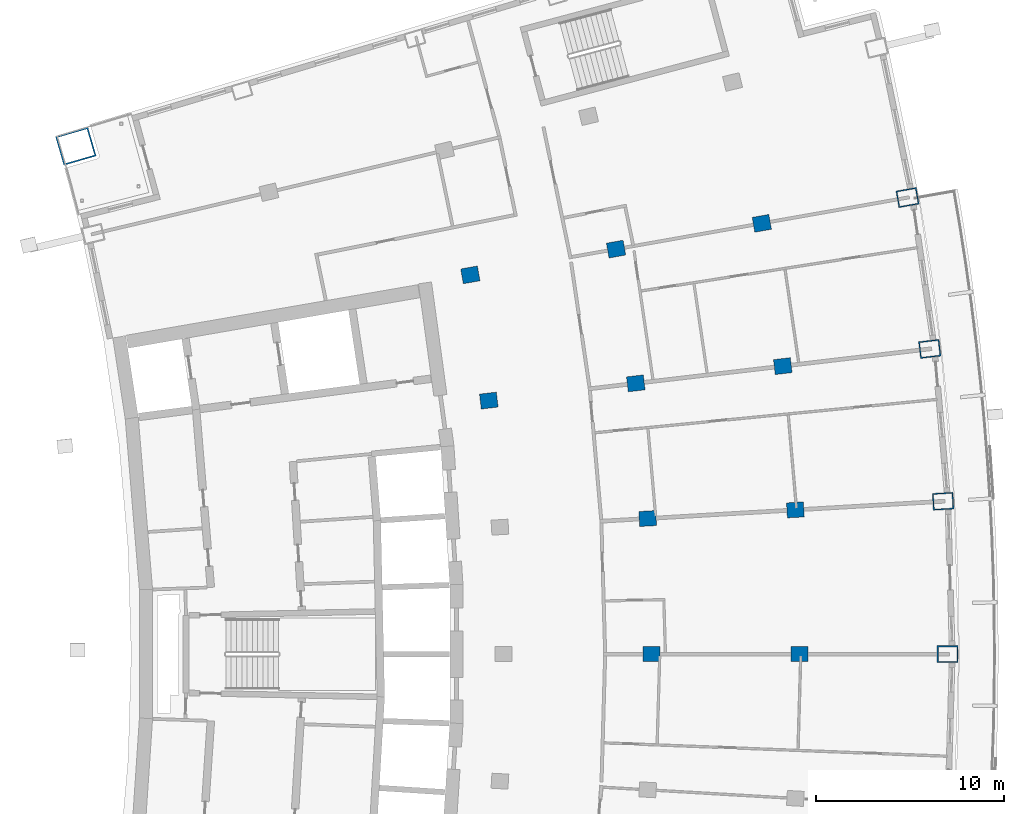
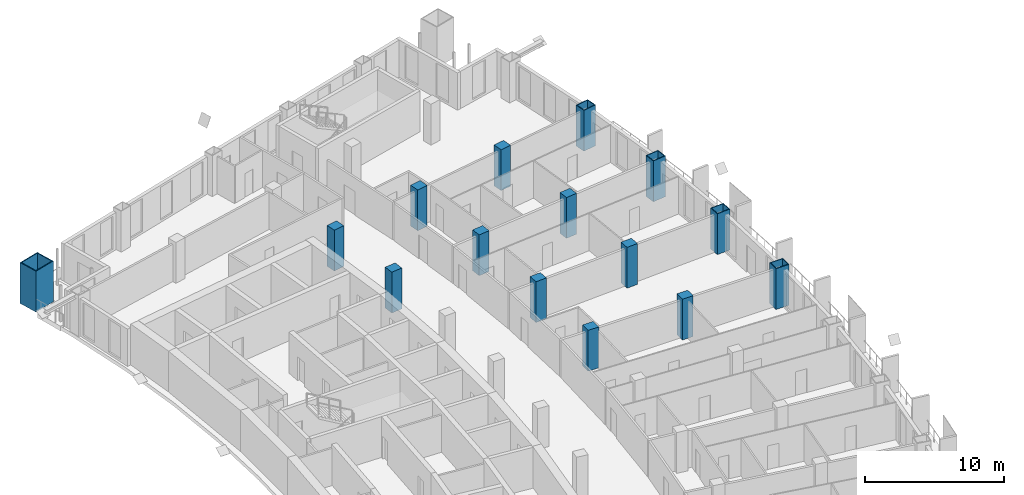
# One storey, part 6 of 20: 15 columns.
"""IFC4 building model written with IfcOpenShell, lengths in metres."""

from ifc_helpers import new_model, si_unit, direction, frame, origin, origin_2d, place, context, subcontext, project, spatial, rectangle, hollow_rectangle, extrude, material, material_profile, profile_set, type_object, element, save


model = new_model("IFC4")

# Units and contexts
model_context = context("Model", 3, precision=1e-05, world=origin(), true_north=direction((0.0, 1.0)))
body_context = subcontext(model_context, "Body", "Model", "MODEL_VIEW")
ifc_project = project(units=[si_unit("LENGTHUNIT", "METRE"), si_unit("AREAUNIT", "SQUARE_METRE"), si_unit("VOLUMEUNIT", "CUBIC_METRE"), si_unit("PLANEANGLEUNIT", "RADIAN"), si_unit("MASSUNIT", "GRAM", prefix="KILO")], contexts=[model_context])

# Site, building, storey
site_placement = place(None, origin())
site = spatial("IfcSite", under=ifc_project, at=site_placement, CompositionType="ELEMENT")
building_placement = place(site_placement, origin())
building = spatial("IfcBuilding", under=site, at=building_placement, Name="Alderwake Tower", CompositionType="ELEMENT")
storey_placement = place(building_placement, frame((0.0, 0.0, 167.60009765625)))
storey = spatial("IfcBuildingStorey", under=building, at=storey_placement, Name="L41", CompositionType="ELEMENT", Elevation=167.60009765625)

# Columns
ifc_material_1 = material(Name="Concrete C70/85", Category="concrete")
ifc_material_profile_1 = material_profile(ifc_material_1, rectangle(XDim=0.800048828125, YDim=0.89990234375, at=origin_2d()), Name="RC 900X800")
ifc_profile_set_1 = profile_set([ifc_material_profile_1], Name="Concrete C70/85")
column_type_1 = type_object("IfcColumnType", Name="Interior column Z3", PredefinedType="COLUMN", material=ifc_profile_set_1)
for number, where, z_axis, x_axis, name in (
    (1, (43.666748046875, 61.0, 0.0), (0.0, 0.0, 1.0), (0.0, 1.0, 0.0), "Column R07-C3"),
    (2, (51.533203125, 61.0, 0.0), (0.0, 0.0, 1.0), (0.0, 1.0, 0.0), "Column R07-C4"),
    (3, (43.456298828125, 68.209716796875, 0.0), (0.0, 0.0, 1.0), (-0.058301061284, 0.998299046505, 0.0), "Column R08-C3"),
    (4, (51.3095703125, 68.66845703125, 0.0), (0.0, 0.0, 1.0), (-0.058299318924, 0.998299148258, 0.0), "Column R08-C4"),
    (5, (35.0126953125, 74.4794921875, 0.0), (0.0, 0.0, 1.0), (-0.116402054316, 0.993202175668, 0.0), "Column R09-C2"),
    (6, (42.825927734375, 75.39501953125, 0.0), (0.0, 0.0, 1.0), (-0.116402054316, 0.993202175668, 0.0), "Column R09-C3"),
    (7, (50.63916015625, 76.310791015625, 0.0), (0.0, 0.0, 1.0), (-0.116402054316, 0.993202175668, 0.0), "Column R09-C4"),
    (8, (34.03125, 81.16162109375, 0.0), (0.0, 0.0, 1.0), (-0.174108800747, 0.984726421654, 0.0), "Column R10-C2"),
    (9, (41.77783203125, 82.531494140625, 0.0), (0.0, 0.0, 1.0), (-0.174108800747, 0.984726421654, 0.0), "Column R10-C3"),
    (10, (49.5244140625, 83.90087890625, 0.0), (0.0, 0.0, 1.0), (-0.174108800747, 0.984726421654, 0.0), "Column R10-C4"),
):
    element("IfcColumn", number, at=place(storey_placement, frame(where, z_axis=z_axis, x_axis=x_axis)), inside=storey, type_object=column_type_1, Name=name, PredefinedType="COLUMN", context=body_context, shape_type="SweptSolid", body=[
        extrude(rectangle(XDim=0.800048828125, YDim=0.89990234375, at=origin_2d()), origin(), (0.0, 0.0, 1.0), 3.599853515625),
    ])
ifc_material_2 = material(Name="Steel ASTM A572 Grade 50 concrete filled C70/85", Category="concrete")
ifc_material_profile_2 = material_profile(ifc_material_2, hollow_rectangle(XDim=1.60009765625, YDim=1.800048828125, WallThickness=0.080078125, at=origin_2d()), Name="BOX 1800X1600X80")
ifc_profile_set_2 = profile_set([ifc_material_profile_2], Name="Steel ASTM A572 Grade 50 concrete filled C70/85")
column_type_2 = type_object("IfcColumnType", Name="Mega column Z3", PredefinedType="COLUMN", material=ifc_profile_set_2)
column_placement = place(storey_placement, frame((13.06298828125, 87.99755859375, 0.0), z_axis=(0.0, 0.0, 1.0), x_axis=(-0.278612301868, 0.960403657452, 0.0)))
element("IfcColumn", 11, at=column_placement, inside=storey, type_object=column_type_2, Name="Column R12-C0", PredefinedType="COLUMN", context=body_context, shape_type="SweptSolid", body=[
    extrude(hollow_rectangle(XDim=1.60009765625, YDim=1.800048828125, WallThickness=0.080078125, at=origin_2d()), origin(), (0.0, 0.0, 1.0), 3.599853515625),
])
ifc_material_3 = material(Name="Steel ASTM A572 Grade 50 concrete filled C70/85", Category="concrete")
ifc_material_profile_3 = material_profile(ifc_material_3, hollow_rectangle(XDim=0.89990234375, YDim=1.10009765625, WallThickness=0.06005859375, at=origin_2d()), Name="BOX 1100X900X60")
ifc_profile_set_3 = profile_set([ifc_material_profile_3], Name="Steel ASTM A572 Grade 50 concrete filled C70/85")
column_type_3 = type_object("IfcColumnType", Name="Perimeter column Z3", PredefinedType="COLUMN", material=ifc_profile_set_3)
for number, where, z_axis, x_axis, name in (
    (12, (59.39990234375, 61.0, 0.0), (0.0, 0.0, 1.0), (0.0, 1.0, 0.0), "Column R07-C5"),
    (13, (59.162841796875, 69.127197265625, 0.0), (0.0, 0.0, 1.0), (-0.058301061284, 0.998299046505, 0.0), "Column R08-C5"),
    (14, (58.452392578125, 77.2265625, 0.0), (0.0, 0.0, 1.0), (-0.116402054316, 0.993202175668, 0.0), "Column R09-C5"),
    (15, (57.27099609375, 85.270751953125, 0.0), (0.0, 0.0, 1.0), (-0.174108800747, 0.984726421654, 0.0), "Column R10-C5"),
):
    element("IfcColumn", number, at=place(storey_placement, frame(where, z_axis=z_axis, x_axis=x_axis)), inside=storey, type_object=column_type_3, Name=name, PredefinedType="COLUMN", context=body_context, shape_type="SweptSolid", body=[
        extrude(hollow_rectangle(XDim=0.89990234375, YDim=1.10009765625, WallThickness=0.06005859375, at=origin_2d()), origin(), (0.0, 0.0, 1.0), 3.599853515625),
    ])

save(model, "model.ifc")
